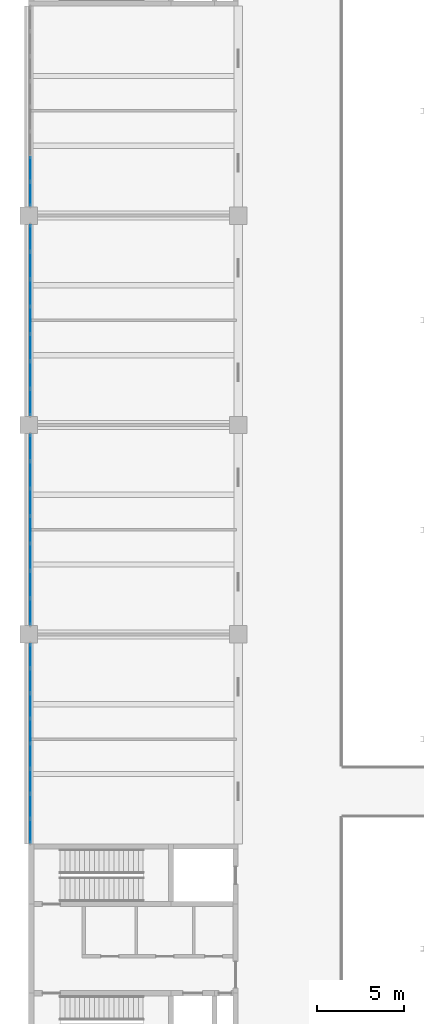
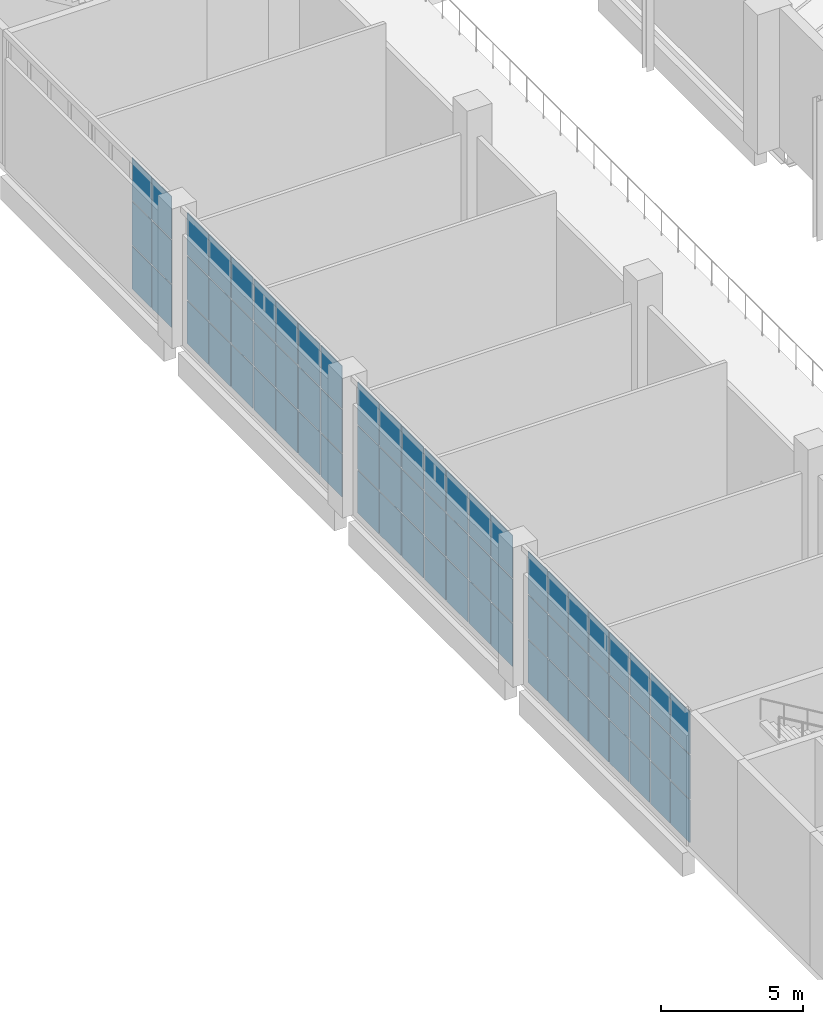
# One storey, part 42 of 72: 72 plates, 4 elements without a shape of their own.
"""IFC4 building model written with IfcOpenShell, lengths in metres."""

from ifc_helpers import new_model, si_unit, direction, frame, origin, origin_2d, place, context, subcontext, project, spatial, rectangle, extrude, material, layer, layer_set, type_object, element, aggregate, save


model = new_model("IFC4")

# Units and contexts
model_context = context("Model", 3, precision=1e-05, world=origin(), true_north=direction((0.0, 1.0)))
body_context = subcontext(model_context, "Body", "Model", "MODEL_VIEW")
ifc_project = project(units=[si_unit("LENGTHUNIT", "METRE"), si_unit("AREAUNIT", "SQUARE_METRE"), si_unit("VOLUMEUNIT", "CUBIC_METRE"), si_unit("PLANEANGLEUNIT", "RADIAN"), si_unit("MASSUNIT", "GRAM", prefix="KILO")], contexts=[model_context])

# Site, building, storey
site_placement = place(None, origin())
site = spatial("IfcSite", under=ifc_project, at=site_placement, CompositionType="ELEMENT")
building_placement = place(site_placement, origin())
building = spatial("IfcBuilding", under=site, at=building_placement, Name="Lilac Gate Convention Centre", CompositionType="ELEMENT")
storey_placement = place(building_placement, frame((0.0, 0.0, 6.0)))
storey = spatial("IfcBuildingStorey", under=building, at=storey_placement, Name="L01", CompositionType="ELEMENT", Elevation=6.0)

# Curtain wall, plates
ifc_material_1 = material(Name="Aluminium framed double glazing", Category="aluminium")
ifc_layer_1 = layer(ifc_material_1, 0.199951171875)
ifc_layer_set_1 = layer_set([ifc_layer_1], Name="Aluminium framed double glazing")
curtain_wall_type = type_object("IfcCurtainWallType", Name="Unitised curtain wall 1500", PredefinedType="NOTDEFINED", material=ifc_layer_set_1)
curtain_wall_1_placement = place(storey_placement, origin())
curtain_wall_1 = element("IfcCurtainWall", 1, at=curtain_wall_1_placement, inside=storey, type_object=curtain_wall_type, Name="Curtain wall PW L01 5", PredefinedType="NOTDEFINED")
ifc_material_2 = material(Name="Double glazed unit low emissivity")
ifc_layer_2 = layer(ifc_material_2, 0.028076171875)
ifc_layer_set_2 = layer_set([ifc_layer_2], Name="Double glazed unit low emissivity")
plate_type_1 = type_object("IfcPlateType", Name="Curtain wall glass panel 28", PredefinedType="CURTAIN_PANEL", material=ifc_layer_set_2)
plate_1_placement = place(storey_placement, frame((6.10009765625, 140.65625, 1.94677734375), z_axis=(0.0, 0.0, 1.0), x_axis=(0.0, -1.0, 0.0)))
plate_1 = element("IfcPlate", 2, at=plate_1_placement, type_object=plate_type_1, Name="CW panel 7.2", PredefinedType="CURTAIN_PANEL", context=body_context, shape_type="SweptSolid", body=[
    extrude(rectangle(XDim=1.37744140625, YDim=0.028076171875, at=origin_2d()), origin(), (0.0, 0.0, 1.0), 1.856689453125),
])
plate_2_placement = place(storey_placement, frame((6.10009765625, 140.65625, 3.86328125), z_axis=(0.0, 0.0, 1.0), x_axis=(0.0, -1.0, 0.0)))
plate_2 = element("IfcPlate", 3, at=plate_2_placement, type_object=plate_type_1, Name="CW panel 7.3", PredefinedType="CURTAIN_PANEL", context=body_context, shape_type="SweptSolid", body=[
    extrude(rectangle(XDim=1.37744140625, YDim=0.028076171875, at=origin_2d()), origin(), (0.0, 0.0, 1.0), 1.82666015625),
])
plate_3_placement = place(storey_placement, frame((6.10009765625, 139.233642578125, 1.94677734375), z_axis=(0.0, 0.0, 1.0), x_axis=(0.0, -1.0, 0.0)))
plate_3 = element("IfcPlate", 4, at=plate_3_placement, type_object=plate_type_1, Name="CW panel 8.2", PredefinedType="CURTAIN_PANEL", context=body_context, shape_type="SweptSolid", body=[
    extrude(rectangle(XDim=1.347412109375, YDim=0.028076171875, at=origin_2d()), origin(), (0.0, 0.0, 1.0), 1.856689453125),
])
plate_4_placement = place(storey_placement, frame((6.10009765625, 139.233642578125, 3.86328125), z_axis=(0.0, 0.0, 1.0), x_axis=(0.0, -1.0, 0.0)))
plate_4 = element("IfcPlate", 5, at=plate_4_placement, type_object=plate_type_1, Name="CW panel 8.3", PredefinedType="CURTAIN_PANEL", context=body_context, shape_type="SweptSolid", body=[
    extrude(rectangle(XDim=1.347412109375, YDim=0.028076171875, at=origin_2d()), origin(), (0.0, 0.0, 1.0), 1.82666015625),
])

curtain_wall_2_placement = place(storey_placement, origin())
curtain_wall_2 = element("IfcCurtainWall", 6, at=curtain_wall_2_placement, inside=storey, type_object=curtain_wall_type, Name="Curtain wall PW L01 6", PredefinedType="NOTDEFINED")
plate_5_placement = place(storey_placement, frame((6.10009765625, 136.69921875, 1.94677734375), z_axis=(0.0, 0.0, 1.0), x_axis=(0.0, -1.0, 0.0)))
plate_5 = element("IfcPlate", 7, at=plate_5_placement, type_object=plate_type_1, Name="CW panel 1.2", PredefinedType="CURTAIN_PANEL", context=body_context, shape_type="SweptSolid", body=[
    extrude(rectangle(XDim=1.4814453125, YDim=0.028076171875, at=origin_2d()), origin(), (0.0, 0.0, 1.0), 1.856689453125),
])
plate_6_placement = place(storey_placement, frame((6.10009765625, 136.69921875, 3.86328125), z_axis=(0.0, 0.0, 1.0), x_axis=(0.0, -1.0, 0.0)))
plate_6 = element("IfcPlate", 8, at=plate_6_placement, type_object=plate_type_1, Name="CW panel 1.3", PredefinedType="CURTAIN_PANEL", context=body_context, shape_type="SweptSolid", body=[
    extrude(rectangle(XDim=1.4814453125, YDim=0.028076171875, at=origin_2d()), origin(), (0.0, 0.0, 1.0), 1.82666015625),
])
plate_7_placement = place(storey_placement, frame((6.10009765625, 135.142822265625, 1.94677734375), z_axis=(0.0, 0.0, 1.0), x_axis=(0.0, -1.0, 0.0)))
plate_7 = element("IfcPlate", 9, at=plate_7_placement, type_object=plate_type_1, Name="CW panel 2.2", PredefinedType="CURTAIN_PANEL", context=body_context, shape_type="SweptSolid", body=[
    extrude(rectangle(XDim=1.511474609375, YDim=0.028076171875, at=origin_2d()), origin(), (0.0, 0.0, 1.0), 1.856689453125),
])
plate_8_placement = place(storey_placement, frame((6.10009765625, 135.142822265625, 3.86328125), z_axis=(0.0, 0.0, 1.0), x_axis=(0.0, -1.0, 0.0)))
plate_8 = element("IfcPlate", 10, at=plate_8_placement, type_object=plate_type_1, Name="CW panel 2.3", PredefinedType="CURTAIN_PANEL", context=body_context, shape_type="SweptSolid", body=[
    extrude(rectangle(XDim=1.511474609375, YDim=0.028076171875, at=origin_2d()), origin(), (0.0, 0.0, 1.0), 1.82666015625),
])
plate_9_placement = place(storey_placement, frame((6.10009765625, 133.571533203125, 1.94677734375), z_axis=(0.0, 0.0, 1.0), x_axis=(0.0, -1.0, 0.0)))
plate_9 = element("IfcPlate", 11, at=plate_9_placement, type_object=plate_type_1, Name="CW panel 3.2", PredefinedType="CURTAIN_PANEL", context=body_context, shape_type="SweptSolid", body=[
    extrude(rectangle(XDim=1.511474609375, YDim=0.028076171875, at=origin_2d()), origin(), (0.0, 0.0, 1.0), 1.856689453125),
])
plate_10_placement = place(storey_placement, frame((6.10009765625, 133.571533203125, 3.86328125), z_axis=(0.0, 0.0, 1.0), x_axis=(0.0, -1.0, 0.0)))
plate_10 = element("IfcPlate", 12, at=plate_10_placement, type_object=plate_type_1, Name="CW panel 3.3", PredefinedType="CURTAIN_PANEL", context=body_context, shape_type="SweptSolid", body=[
    extrude(rectangle(XDim=1.511474609375, YDim=0.028076171875, at=origin_2d()), origin(), (0.0, 0.0, 1.0), 1.82666015625),
])
plate_11_placement = place(storey_placement, frame((6.10009765625, 132.0, 1.94677734375), z_axis=(0.0, 0.0, 1.0), x_axis=(0.0, -1.0, 0.0)))
plate_11 = element("IfcPlate", 13, at=plate_11_placement, type_object=plate_type_1, Name="CW panel 4.2", PredefinedType="CURTAIN_PANEL", context=body_context, shape_type="SweptSolid", body=[
    extrude(rectangle(XDim=1.511474609375, YDim=0.028076171875, at=origin_2d()), origin(), (0.0, 0.0, 1.0), 1.856689453125),
])
plate_12_placement = place(storey_placement, frame((6.10009765625, 132.0, 3.86328125), z_axis=(0.0, 0.0, 1.0), x_axis=(0.0, -1.0, 0.0)))
plate_12 = element("IfcPlate", 14, at=plate_12_placement, type_object=plate_type_1, Name="CW panel 4.3", PredefinedType="CURTAIN_PANEL", context=body_context, shape_type="SweptSolid", body=[
    extrude(rectangle(XDim=1.511474609375, YDim=0.028076171875, at=origin_2d()), origin(), (0.0, 0.0, 1.0), 1.82666015625),
])
plate_13_placement = place(storey_placement, frame((6.10009765625, 130.428466796875, 1.94677734375), z_axis=(0.0, 0.0, 1.0), x_axis=(0.0, -1.0, 0.0)))
plate_13 = element("IfcPlate", 15, at=plate_13_placement, type_object=plate_type_1, Name="CW panel 5.2", PredefinedType="CURTAIN_PANEL", context=body_context, shape_type="SweptSolid", body=[
    extrude(rectangle(XDim=1.511474609375, YDim=0.028076171875, at=origin_2d()), origin(), (0.0, 0.0, 1.0), 1.856689453125),
])
plate_14_placement = place(storey_placement, frame((6.10009765625, 130.428466796875, 3.86328125), z_axis=(0.0, 0.0, 1.0), x_axis=(0.0, -1.0, 0.0)))
plate_14 = element("IfcPlate", 16, at=plate_14_placement, type_object=plate_type_1, Name="CW panel 5.3", PredefinedType="CURTAIN_PANEL", context=body_context, shape_type="SweptSolid", body=[
    extrude(rectangle(XDim=1.511474609375, YDim=0.028076171875, at=origin_2d()), origin(), (0.0, 0.0, 1.0), 1.82666015625),
])
plate_15_placement = place(storey_placement, frame((6.10009765625, 128.857177734375, 1.94677734375), z_axis=(0.0, 0.0, 1.0), x_axis=(0.0, -1.0, 0.0)))
plate_15 = element("IfcPlate", 17, at=plate_15_placement, type_object=plate_type_1, Name="CW panel 6.2", PredefinedType="CURTAIN_PANEL", context=body_context, shape_type="SweptSolid", body=[
    extrude(rectangle(XDim=1.511474609375, YDim=0.028076171875, at=origin_2d()), origin(), (0.0, 0.0, 1.0), 1.856689453125),
])
plate_16_placement = place(storey_placement, frame((6.10009765625, 128.857177734375, 3.86328125), z_axis=(0.0, 0.0, 1.0), x_axis=(0.0, -1.0, 0.0)))
plate_16 = element("IfcPlate", 18, at=plate_16_placement, type_object=plate_type_1, Name="CW panel 6.3", PredefinedType="CURTAIN_PANEL", context=body_context, shape_type="SweptSolid", body=[
    extrude(rectangle(XDim=1.511474609375, YDim=0.028076171875, at=origin_2d()), origin(), (0.0, 0.0, 1.0), 1.82666015625),
])
plate_17_placement = place(storey_placement, frame((6.10009765625, 127.30078125, 1.94677734375), z_axis=(0.0, 0.0, 1.0), x_axis=(0.0, -1.0, 0.0)))
plate_17 = element("IfcPlate", 19, at=plate_17_placement, type_object=plate_type_1, Name="CW panel 7.2", PredefinedType="CURTAIN_PANEL", context=body_context, shape_type="SweptSolid", body=[
    extrude(rectangle(XDim=1.4814453125, YDim=0.028076171875, at=origin_2d()), origin(), (0.0, 0.0, 1.0), 1.856689453125),
])
plate_18_placement = place(storey_placement, frame((6.10009765625, 127.30078125, 3.86328125), z_axis=(0.0, 0.0, 1.0), x_axis=(0.0, -1.0, 0.0)))
plate_18 = element("IfcPlate", 20, at=plate_18_placement, type_object=plate_type_1, Name="CW panel 7.3", PredefinedType="CURTAIN_PANEL", context=body_context, shape_type="SweptSolid", body=[
    extrude(rectangle(XDim=1.4814453125, YDim=0.028076171875, at=origin_2d()), origin(), (0.0, 0.0, 1.0), 1.82666015625),
])

curtain_wall_3_placement = place(storey_placement, origin())
curtain_wall_3 = element("IfcCurtainWall", 21, at=curtain_wall_3_placement, inside=storey, type_object=curtain_wall_type, Name="Curtain wall PW L01 7", PredefinedType="NOTDEFINED")
plate_19_placement = place(storey_placement, frame((6.10009765625, 124.69921875, 1.94677734375), z_axis=(0.0, 0.0, 1.0), x_axis=(0.0, -1.0, 0.0)))
plate_19 = element("IfcPlate", 22, at=plate_19_placement, type_object=plate_type_1, Name="CW panel 1.2", PredefinedType="CURTAIN_PANEL", context=body_context, shape_type="SweptSolid", body=[
    extrude(rectangle(XDim=1.4814453125, YDim=0.028076171875, at=origin_2d()), origin(), (0.0, 0.0, 1.0), 1.856689453125),
])
plate_20_placement = place(storey_placement, frame((6.10009765625, 124.69921875, 3.86328125), z_axis=(0.0, 0.0, 1.0), x_axis=(0.0, -1.0, 0.0)))
plate_20 = element("IfcPlate", 23, at=plate_20_placement, type_object=plate_type_1, Name="CW panel 1.3", PredefinedType="CURTAIN_PANEL", context=body_context, shape_type="SweptSolid", body=[
    extrude(rectangle(XDim=1.4814453125, YDim=0.028076171875, at=origin_2d()), origin(), (0.0, 0.0, 1.0), 1.82666015625),
])
plate_21_placement = place(storey_placement, frame((6.10009765625, 123.142822265625, 1.94677734375), z_axis=(0.0, 0.0, 1.0), x_axis=(0.0, -1.0, 0.0)))
plate_21 = element("IfcPlate", 24, at=plate_21_placement, type_object=plate_type_1, Name="CW panel 2.2", PredefinedType="CURTAIN_PANEL", context=body_context, shape_type="SweptSolid", body=[
    extrude(rectangle(XDim=1.511474609375, YDim=0.028076171875, at=origin_2d()), origin(), (0.0, 0.0, 1.0), 1.856689453125),
])
plate_22_placement = place(storey_placement, frame((6.10009765625, 123.142822265625, 3.86328125), z_axis=(0.0, 0.0, 1.0), x_axis=(0.0, -1.0, 0.0)))
plate_22 = element("IfcPlate", 25, at=plate_22_placement, type_object=plate_type_1, Name="CW panel 2.3", PredefinedType="CURTAIN_PANEL", context=body_context, shape_type="SweptSolid", body=[
    extrude(rectangle(XDim=1.511474609375, YDim=0.028076171875, at=origin_2d()), origin(), (0.0, 0.0, 1.0), 1.82666015625),
])
plate_23_placement = place(storey_placement, frame((6.10009765625, 121.571533203125, 1.94677734375), z_axis=(0.0, 0.0, 1.0), x_axis=(0.0, -1.0, 0.0)))
plate_23 = element("IfcPlate", 26, at=plate_23_placement, type_object=plate_type_1, Name="CW panel 3.2", PredefinedType="CURTAIN_PANEL", context=body_context, shape_type="SweptSolid", body=[
    extrude(rectangle(XDim=1.511474609375, YDim=0.028076171875, at=origin_2d()), origin(), (0.0, 0.0, 1.0), 1.856689453125),
])
plate_24_placement = place(storey_placement, frame((6.10009765625, 121.571533203125, 3.86328125), z_axis=(0.0, 0.0, 1.0), x_axis=(0.0, -1.0, 0.0)))
plate_24 = element("IfcPlate", 27, at=plate_24_placement, type_object=plate_type_1, Name="CW panel 3.3", PredefinedType="CURTAIN_PANEL", context=body_context, shape_type="SweptSolid", body=[
    extrude(rectangle(XDim=1.511474609375, YDim=0.028076171875, at=origin_2d()), origin(), (0.0, 0.0, 1.0), 1.82666015625),
])
plate_25_placement = place(storey_placement, frame((6.10009765625, 120.0, 1.94677734375), z_axis=(0.0, 0.0, 1.0), x_axis=(0.0, -1.0, 0.0)))
plate_25 = element("IfcPlate", 28, at=plate_25_placement, type_object=plate_type_1, Name="CW panel 4.2", PredefinedType="CURTAIN_PANEL", context=body_context, shape_type="SweptSolid", body=[
    extrude(rectangle(XDim=1.511474609375, YDim=0.028076171875, at=origin_2d()), origin(), (0.0, 0.0, 1.0), 1.856689453125),
])
plate_26_placement = place(storey_placement, frame((6.10009765625, 120.0, 3.86328125), z_axis=(0.0, 0.0, 1.0), x_axis=(0.0, -1.0, 0.0)))
plate_26 = element("IfcPlate", 29, at=plate_26_placement, type_object=plate_type_1, Name="CW panel 4.3", PredefinedType="CURTAIN_PANEL", context=body_context, shape_type="SweptSolid", body=[
    extrude(rectangle(XDim=1.511474609375, YDim=0.028076171875, at=origin_2d()), origin(), (0.0, 0.0, 1.0), 1.82666015625),
])
plate_27_placement = place(storey_placement, frame((6.10009765625, 118.428466796875, 1.94677734375), z_axis=(0.0, 0.0, 1.0), x_axis=(0.0, -1.0, 0.0)))
plate_27 = element("IfcPlate", 30, at=plate_27_placement, type_object=plate_type_1, Name="CW panel 5.2", PredefinedType="CURTAIN_PANEL", context=body_context, shape_type="SweptSolid", body=[
    extrude(rectangle(XDim=1.511474609375, YDim=0.028076171875, at=origin_2d()), origin(), (0.0, 0.0, 1.0), 1.856689453125),
])
plate_28_placement = place(storey_placement, frame((6.10009765625, 118.428466796875, 3.86328125), z_axis=(0.0, 0.0, 1.0), x_axis=(0.0, -1.0, 0.0)))
plate_28 = element("IfcPlate", 31, at=plate_28_placement, type_object=plate_type_1, Name="CW panel 5.3", PredefinedType="CURTAIN_PANEL", context=body_context, shape_type="SweptSolid", body=[
    extrude(rectangle(XDim=1.511474609375, YDim=0.028076171875, at=origin_2d()), origin(), (0.0, 0.0, 1.0), 1.82666015625),
])
plate_29_placement = place(storey_placement, frame((6.10009765625, 116.857177734375, 1.94677734375), z_axis=(0.0, 0.0, 1.0), x_axis=(0.0, -1.0, 0.0)))
plate_29 = element("IfcPlate", 32, at=plate_29_placement, type_object=plate_type_1, Name="CW panel 6.2", PredefinedType="CURTAIN_PANEL", context=body_context, shape_type="SweptSolid", body=[
    extrude(rectangle(XDim=1.511474609375, YDim=0.028076171875, at=origin_2d()), origin(), (0.0, 0.0, 1.0), 1.856689453125),
])
plate_30_placement = place(storey_placement, frame((6.10009765625, 116.857177734375, 3.86328125), z_axis=(0.0, 0.0, 1.0), x_axis=(0.0, -1.0, 0.0)))
plate_30 = element("IfcPlate", 33, at=plate_30_placement, type_object=plate_type_1, Name="CW panel 6.3", PredefinedType="CURTAIN_PANEL", context=body_context, shape_type="SweptSolid", body=[
    extrude(rectangle(XDim=1.511474609375, YDim=0.028076171875, at=origin_2d()), origin(), (0.0, 0.0, 1.0), 1.82666015625),
])
plate_31_placement = place(storey_placement, frame((6.10009765625, 115.30078125, 1.94677734375), z_axis=(0.0, 0.0, 1.0), x_axis=(0.0, -1.0, 0.0)))
plate_31 = element("IfcPlate", 34, at=plate_31_placement, type_object=plate_type_1, Name="CW panel 7.2", PredefinedType="CURTAIN_PANEL", context=body_context, shape_type="SweptSolid", body=[
    extrude(rectangle(XDim=1.4814453125, YDim=0.028076171875, at=origin_2d()), origin(), (0.0, 0.0, 1.0), 1.856689453125),
])
plate_32_placement = place(storey_placement, frame((6.10009765625, 115.30078125, 3.86328125), z_axis=(0.0, 0.0, 1.0), x_axis=(0.0, -1.0, 0.0)))
plate_32 = element("IfcPlate", 35, at=plate_32_placement, type_object=plate_type_1, Name="CW panel 7.3", PredefinedType="CURTAIN_PANEL", context=body_context, shape_type="SweptSolid", body=[
    extrude(rectangle(XDim=1.4814453125, YDim=0.028076171875, at=origin_2d()), origin(), (0.0, 0.0, 1.0), 1.82666015625),
])

curtain_wall_4_placement = place(storey_placement, origin())
curtain_wall_4 = element("IfcCurtainWall", 36, at=curtain_wall_4_placement, inside=storey, type_object=curtain_wall_type, Name="Curtain wall PW L01 8", PredefinedType="NOTDEFINED")
plate_33_placement = place(storey_placement, frame((6.10009765625, 112.766357421875, 1.94677734375), z_axis=(0.0, 0.0, 1.0), x_axis=(0.0, -1.0, 0.0)))
plate_33 = element("IfcPlate", 37, at=plate_33_placement, type_object=plate_type_1, Name="CW panel 1.2", PredefinedType="CURTAIN_PANEL", context=body_context, shape_type="SweptSolid", body=[
    extrude(rectangle(XDim=1.347412109375, YDim=0.028076171875, at=origin_2d()), origin(), (0.0, 0.0, 1.0), 1.856689453125),
])
plate_34_placement = place(storey_placement, frame((6.10009765625, 112.766357421875, 3.86328125), z_axis=(0.0, 0.0, 1.0), x_axis=(0.0, -1.0, 0.0)))
plate_34 = element("IfcPlate", 38, at=plate_34_placement, type_object=plate_type_1, Name="CW panel 1.3", PredefinedType="CURTAIN_PANEL", context=body_context, shape_type="SweptSolid", body=[
    extrude(rectangle(XDim=1.347412109375, YDim=0.028076171875, at=origin_2d()), origin(), (0.0, 0.0, 1.0), 1.82666015625),
])
plate_35_placement = place(storey_placement, frame((6.10009765625, 111.34375, 1.94677734375), z_axis=(0.0, 0.0, 1.0), x_axis=(0.0, -1.0, 0.0)))
plate_35 = element("IfcPlate", 39, at=plate_35_placement, type_object=plate_type_1, Name="CW panel 2.2", PredefinedType="CURTAIN_PANEL", context=body_context, shape_type="SweptSolid", body=[
    extrude(rectangle(XDim=1.37744140625, YDim=0.028076171875, at=origin_2d()), origin(), (0.0, 0.0, 1.0), 1.856689453125),
])
plate_36_placement = place(storey_placement, frame((6.10009765625, 111.34375, 3.86328125), z_axis=(0.0, 0.0, 1.0), x_axis=(0.0, -1.0, 0.0)))
plate_36 = element("IfcPlate", 40, at=plate_36_placement, type_object=plate_type_1, Name="CW panel 2.3", PredefinedType="CURTAIN_PANEL", context=body_context, shape_type="SweptSolid", body=[
    extrude(rectangle(XDim=1.37744140625, YDim=0.028076171875, at=origin_2d()), origin(), (0.0, 0.0, 1.0), 1.82666015625),
])
plate_37_placement = place(storey_placement, frame((6.10009765625, 109.90625, 1.94677734375), z_axis=(0.0, 0.0, 1.0), x_axis=(0.0, -1.0, 0.0)))
plate_37 = element("IfcPlate", 41, at=plate_37_placement, type_object=plate_type_1, Name="CW panel 3.2", PredefinedType="CURTAIN_PANEL", context=body_context, shape_type="SweptSolid", body=[
    extrude(rectangle(XDim=1.37744140625, YDim=0.028076171875, at=origin_2d()), origin(), (0.0, 0.0, 1.0), 1.856689453125),
])
plate_38_placement = place(storey_placement, frame((6.10009765625, 109.90625, 3.86328125), z_axis=(0.0, 0.0, 1.0), x_axis=(0.0, -1.0, 0.0)))
plate_38 = element("IfcPlate", 42, at=plate_38_placement, type_object=plate_type_1, Name="CW panel 3.3", PredefinedType="CURTAIN_PANEL", context=body_context, shape_type="SweptSolid", body=[
    extrude(rectangle(XDim=1.37744140625, YDim=0.028076171875, at=origin_2d()), origin(), (0.0, 0.0, 1.0), 1.82666015625),
])
plate_39_placement = place(storey_placement, frame((6.10009765625, 108.46875, 1.94677734375), z_axis=(0.0, 0.0, 1.0), x_axis=(0.0, -1.0, 0.0)))
plate_39 = element("IfcPlate", 43, at=plate_39_placement, type_object=plate_type_1, Name="CW panel 4.2", PredefinedType="CURTAIN_PANEL", context=body_context, shape_type="SweptSolid", body=[
    extrude(rectangle(XDim=1.37744140625, YDim=0.028076171875, at=origin_2d()), origin(), (0.0, 0.0, 1.0), 1.856689453125),
])
plate_40_placement = place(storey_placement, frame((6.10009765625, 108.46875, 3.86328125), z_axis=(0.0, 0.0, 1.0), x_axis=(0.0, -1.0, 0.0)))
plate_40 = element("IfcPlate", 44, at=plate_40_placement, type_object=plate_type_1, Name="CW panel 4.3", PredefinedType="CURTAIN_PANEL", context=body_context, shape_type="SweptSolid", body=[
    extrude(rectangle(XDim=1.37744140625, YDim=0.028076171875, at=origin_2d()), origin(), (0.0, 0.0, 1.0), 1.82666015625),
])
plate_41_placement = place(storey_placement, frame((6.10009765625, 107.03125, 1.94677734375), z_axis=(0.0, 0.0, 1.0), x_axis=(0.0, -1.0, 0.0)))
plate_41 = element("IfcPlate", 45, at=plate_41_placement, type_object=plate_type_1, Name="CW panel 5.2", PredefinedType="CURTAIN_PANEL", context=body_context, shape_type="SweptSolid", body=[
    extrude(rectangle(XDim=1.37744140625, YDim=0.028076171875, at=origin_2d()), origin(), (0.0, 0.0, 1.0), 1.856689453125),
])
plate_42_placement = place(storey_placement, frame((6.10009765625, 107.03125, 3.86328125), z_axis=(0.0, 0.0, 1.0), x_axis=(0.0, -1.0, 0.0)))
plate_42 = element("IfcPlate", 46, at=plate_42_placement, type_object=plate_type_1, Name="CW panel 5.3", PredefinedType="CURTAIN_PANEL", context=body_context, shape_type="SweptSolid", body=[
    extrude(rectangle(XDim=1.37744140625, YDim=0.028076171875, at=origin_2d()), origin(), (0.0, 0.0, 1.0), 1.82666015625),
])
plate_43_placement = place(storey_placement, frame((6.10009765625, 105.59375, 1.94677734375), z_axis=(0.0, 0.0, 1.0), x_axis=(0.0, -1.0, 0.0)))
plate_43 = element("IfcPlate", 47, at=plate_43_placement, type_object=plate_type_1, Name="CW panel 6.2", PredefinedType="CURTAIN_PANEL", context=body_context, shape_type="SweptSolid", body=[
    extrude(rectangle(XDim=1.37744140625, YDim=0.028076171875, at=origin_2d()), origin(), (0.0, 0.0, 1.0), 1.856689453125),
])
plate_44_placement = place(storey_placement, frame((6.10009765625, 105.59375, 3.86328125), z_axis=(0.0, 0.0, 1.0), x_axis=(0.0, -1.0, 0.0)))
plate_44 = element("IfcPlate", 48, at=plate_44_placement, type_object=plate_type_1, Name="CW panel 6.3", PredefinedType="CURTAIN_PANEL", context=body_context, shape_type="SweptSolid", body=[
    extrude(rectangle(XDim=1.37744140625, YDim=0.028076171875, at=origin_2d()), origin(), (0.0, 0.0, 1.0), 1.82666015625),
])
plate_45_placement = place(storey_placement, frame((6.10009765625, 104.15625, 1.94677734375), z_axis=(0.0, 0.0, 1.0), x_axis=(0.0, -1.0, 0.0)))
plate_45 = element("IfcPlate", 49, at=plate_45_placement, type_object=plate_type_1, Name="CW panel 7.2", PredefinedType="CURTAIN_PANEL", context=body_context, shape_type="SweptSolid", body=[
    extrude(rectangle(XDim=1.37744140625, YDim=0.028076171875, at=origin_2d()), origin(), (0.0, 0.0, 1.0), 1.856689453125),
])
plate_46_placement = place(storey_placement, frame((6.10009765625, 104.15625, 3.86328125), z_axis=(0.0, 0.0, 1.0), x_axis=(0.0, -1.0, 0.0)))
plate_46 = element("IfcPlate", 50, at=plate_46_placement, type_object=plate_type_1, Name="CW panel 7.3", PredefinedType="CURTAIN_PANEL", context=body_context, shape_type="SweptSolid", body=[
    extrude(rectangle(XDim=1.37744140625, YDim=0.028076171875, at=origin_2d()), origin(), (0.0, 0.0, 1.0), 1.82666015625),
])
plate_47_placement = place(storey_placement, frame((6.10009765625, 102.733642578125, 1.94677734375), z_axis=(0.0, 0.0, 1.0), x_axis=(0.0, -1.0, 0.0)))
plate_47 = element("IfcPlate", 51, at=plate_47_placement, type_object=plate_type_1, Name="CW panel 8.2", PredefinedType="CURTAIN_PANEL", context=body_context, shape_type="SweptSolid", body=[
    extrude(rectangle(XDim=1.347412109375, YDim=0.028076171875, at=origin_2d()), origin(), (0.0, 0.0, 1.0), 1.856689453125),
])
plate_48_placement = place(storey_placement, frame((6.10009765625, 102.733642578125, 3.86328125), z_axis=(0.0, 0.0, 1.0), x_axis=(0.0, -1.0, 0.0)))
plate_48 = element("IfcPlate", 52, at=plate_48_placement, type_object=plate_type_1, Name="CW panel 8.3", PredefinedType="CURTAIN_PANEL", context=body_context, shape_type="SweptSolid", body=[
    extrude(rectangle(XDim=1.347412109375, YDim=0.028076171875, at=origin_2d()), origin(), (0.0, 0.0, 1.0), 1.82666015625),
])

# Plate
ifc_material_3 = material(Name="Insulated aluminium spandrel panel", Category="aluminium")
ifc_layer_3 = layer(ifc_material_3, 0.028076171875)
ifc_layer_set_3 = layer_set([ifc_layer_3], Name="Insulated aluminium spandrel panel")
plate_type_2 = type_object("IfcPlateType", Name="Curtain wall spandrel panel 28", PredefinedType="CURTAIN_PANEL", material=ifc_layer_set_3)
plate_49_placement = place(storey_placement, frame((6.10009765625, 140.65625, 0.06005859375), z_axis=(0.0, 0.0, 1.0), x_axis=(0.0, -1.0, 0.0)))
plate_49 = element("IfcPlate", 53, at=plate_49_placement, type_object=plate_type_2, Name="CW spandrel 7.1", PredefinedType="CURTAIN_PANEL", context=body_context, shape_type="SweptSolid", body=[
    extrude(rectangle(XDim=1.37744140625, YDim=0.028076171875, at=origin_2d()), origin(), (0.0, 0.0, 1.0), 1.82666015625),
])

plate_50_placement = place(storey_placement, frame((6.10009765625, 139.233642578125, 0.06005859375), z_axis=(0.0, 0.0, 1.0), x_axis=(0.0, -1.0, 0.0)))
plate_50 = element("IfcPlate", 54, at=plate_50_placement, type_object=plate_type_2, Name="CW spandrel 8.1", PredefinedType="CURTAIN_PANEL", context=body_context, shape_type="SweptSolid", body=[
    extrude(rectangle(XDim=1.347412109375, YDim=0.028076171875, at=origin_2d()), origin(), (0.0, 0.0, 1.0), 1.82666015625),
])

aggregate(curtain_wall_1, [plate_49, plate_1, plate_2, plate_50, plate_3, plate_4])

plate_51_placement = place(storey_placement, frame((6.10009765625, 136.69921875, 0.06005859375), z_axis=(0.0, 0.0, 1.0), x_axis=(0.0, -1.0, 0.0)))
plate_51 = element("IfcPlate", 55, at=plate_51_placement, type_object=plate_type_2, Name="CW spandrel 1.1", PredefinedType="CURTAIN_PANEL", context=body_context, shape_type="SweptSolid", body=[
    extrude(rectangle(XDim=1.4814453125, YDim=0.028076171875, at=origin_2d()), origin(), (0.0, 0.0, 1.0), 1.82666015625),
])

plate_52_placement = place(storey_placement, frame((6.10009765625, 135.142822265625, 0.06005859375), z_axis=(0.0, 0.0, 1.0), x_axis=(0.0, -1.0, 0.0)))
plate_52 = element("IfcPlate", 56, at=plate_52_placement, type_object=plate_type_2, Name="CW spandrel 2.1", PredefinedType="CURTAIN_PANEL", context=body_context, shape_type="SweptSolid", body=[
    extrude(rectangle(XDim=1.511474609375, YDim=0.028076171875, at=origin_2d()), origin(), (0.0, 0.0, 1.0), 1.82666015625),
])

plate_53_placement = place(storey_placement, frame((6.10009765625, 133.571533203125, 0.06005859375), z_axis=(0.0, 0.0, 1.0), x_axis=(0.0, -1.0, 0.0)))
plate_53 = element("IfcPlate", 57, at=plate_53_placement, type_object=plate_type_2, Name="CW spandrel 3.1", PredefinedType="CURTAIN_PANEL", context=body_context, shape_type="SweptSolid", body=[
    extrude(rectangle(XDim=1.511474609375, YDim=0.028076171875, at=origin_2d()), origin(), (0.0, 0.0, 1.0), 1.82666015625),
])

plate_54_placement = place(storey_placement, frame((6.10009765625, 132.0, 0.06005859375), z_axis=(0.0, 0.0, 1.0), x_axis=(0.0, -1.0, 0.0)))
plate_54 = element("IfcPlate", 58, at=plate_54_placement, type_object=plate_type_2, Name="CW spandrel 4.1", PredefinedType="CURTAIN_PANEL", context=body_context, shape_type="SweptSolid", body=[
    extrude(rectangle(XDim=1.511474609375, YDim=0.028076171875, at=origin_2d()), origin(), (0.0, 0.0, 1.0), 1.82666015625),
])

plate_55_placement = place(storey_placement, frame((6.10009765625, 130.428466796875, 0.06005859375), z_axis=(0.0, 0.0, 1.0), x_axis=(0.0, -1.0, 0.0)))
plate_55 = element("IfcPlate", 59, at=plate_55_placement, type_object=plate_type_2, Name="CW spandrel 5.1", PredefinedType="CURTAIN_PANEL", context=body_context, shape_type="SweptSolid", body=[
    extrude(rectangle(XDim=1.511474609375, YDim=0.028076171875, at=origin_2d()), origin(), (0.0, 0.0, 1.0), 1.82666015625),
])

plate_56_placement = place(storey_placement, frame((6.10009765625, 128.857177734375, 0.06005859375), z_axis=(0.0, 0.0, 1.0), x_axis=(0.0, -1.0, 0.0)))
plate_56 = element("IfcPlate", 60, at=plate_56_placement, type_object=plate_type_2, Name="CW spandrel 6.1", PredefinedType="CURTAIN_PANEL", context=body_context, shape_type="SweptSolid", body=[
    extrude(rectangle(XDim=1.511474609375, YDim=0.028076171875, at=origin_2d()), origin(), (0.0, 0.0, 1.0), 1.82666015625),
])

plate_57_placement = place(storey_placement, frame((6.10009765625, 127.30078125, 0.06005859375), z_axis=(0.0, 0.0, 1.0), x_axis=(0.0, -1.0, 0.0)))
plate_57 = element("IfcPlate", 61, at=plate_57_placement, type_object=plate_type_2, Name="CW spandrel 7.1", PredefinedType="CURTAIN_PANEL", context=body_context, shape_type="SweptSolid", body=[
    extrude(rectangle(XDim=1.4814453125, YDim=0.028076171875, at=origin_2d()), origin(), (0.0, 0.0, 1.0), 1.82666015625),
])

aggregate(curtain_wall_2, [plate_51, plate_5, plate_6, plate_52, plate_7, plate_8, plate_53, plate_9, plate_10, plate_54, plate_11, plate_12, plate_55, plate_13, plate_14, plate_56, plate_15, plate_16, plate_57, plate_17, plate_18])

plate_58_placement = place(storey_placement, frame((6.10009765625, 124.69921875, 0.06005859375), z_axis=(0.0, 0.0, 1.0), x_axis=(0.0, -1.0, 0.0)))
plate_58 = element("IfcPlate", 62, at=plate_58_placement, type_object=plate_type_2, Name="CW spandrel 1.1", PredefinedType="CURTAIN_PANEL", context=body_context, shape_type="SweptSolid", body=[
    extrude(rectangle(XDim=1.4814453125, YDim=0.028076171875, at=origin_2d()), origin(), (0.0, 0.0, 1.0), 1.82666015625),
])

plate_59_placement = place(storey_placement, frame((6.10009765625, 123.142822265625, 0.06005859375), z_axis=(0.0, 0.0, 1.0), x_axis=(0.0, -1.0, 0.0)))
plate_59 = element("IfcPlate", 63, at=plate_59_placement, type_object=plate_type_2, Name="CW spandrel 2.1", PredefinedType="CURTAIN_PANEL", context=body_context, shape_type="SweptSolid", body=[
    extrude(rectangle(XDim=1.511474609375, YDim=0.028076171875, at=origin_2d()), origin(), (0.0, 0.0, 1.0), 1.82666015625),
])

plate_60_placement = place(storey_placement, frame((6.10009765625, 121.571533203125, 0.06005859375), z_axis=(0.0, 0.0, 1.0), x_axis=(0.0, -1.0, 0.0)))
plate_60 = element("IfcPlate", 64, at=plate_60_placement, type_object=plate_type_2, Name="CW spandrel 3.1", PredefinedType="CURTAIN_PANEL", context=body_context, shape_type="SweptSolid", body=[
    extrude(rectangle(XDim=1.511474609375, YDim=0.028076171875, at=origin_2d()), origin(), (0.0, 0.0, 1.0), 1.82666015625),
])

plate_61_placement = place(storey_placement, frame((6.10009765625, 120.0, 0.06005859375), z_axis=(0.0, 0.0, 1.0), x_axis=(0.0, -1.0, 0.0)))
plate_61 = element("IfcPlate", 65, at=plate_61_placement, type_object=plate_type_2, Name="CW spandrel 4.1", PredefinedType="CURTAIN_PANEL", context=body_context, shape_type="SweptSolid", body=[
    extrude(rectangle(XDim=1.511474609375, YDim=0.028076171875, at=origin_2d()), origin(), (0.0, 0.0, 1.0), 1.82666015625),
])

plate_62_placement = place(storey_placement, frame((6.10009765625, 118.428466796875, 0.06005859375), z_axis=(0.0, 0.0, 1.0), x_axis=(0.0, -1.0, 0.0)))
plate_62 = element("IfcPlate", 66, at=plate_62_placement, type_object=plate_type_2, Name="CW spandrel 5.1", PredefinedType="CURTAIN_PANEL", context=body_context, shape_type="SweptSolid", body=[
    extrude(rectangle(XDim=1.511474609375, YDim=0.028076171875, at=origin_2d()), origin(), (0.0, 0.0, 1.0), 1.82666015625),
])

plate_63_placement = place(storey_placement, frame((6.10009765625, 116.857177734375, 0.06005859375), z_axis=(0.0, 0.0, 1.0), x_axis=(0.0, -1.0, 0.0)))
plate_63 = element("IfcPlate", 67, at=plate_63_placement, type_object=plate_type_2, Name="CW spandrel 6.1", PredefinedType="CURTAIN_PANEL", context=body_context, shape_type="SweptSolid", body=[
    extrude(rectangle(XDim=1.511474609375, YDim=0.028076171875, at=origin_2d()), origin(), (0.0, 0.0, 1.0), 1.82666015625),
])

plate_64_placement = place(storey_placement, frame((6.10009765625, 115.30078125, 0.06005859375), z_axis=(0.0, 0.0, 1.0), x_axis=(0.0, -1.0, 0.0)))
plate_64 = element("IfcPlate", 68, at=plate_64_placement, type_object=plate_type_2, Name="CW spandrel 7.1", PredefinedType="CURTAIN_PANEL", context=body_context, shape_type="SweptSolid", body=[
    extrude(rectangle(XDim=1.4814453125, YDim=0.028076171875, at=origin_2d()), origin(), (0.0, 0.0, 1.0), 1.82666015625),
])

aggregate(curtain_wall_3, [plate_58, plate_19, plate_20, plate_59, plate_21, plate_22, plate_60, plate_23, plate_24, plate_61, plate_25, plate_26, plate_62, plate_27, plate_28, plate_63, plate_29, plate_30, plate_64, plate_31, plate_32])

plate_65_placement = place(storey_placement, frame((6.10009765625, 112.766357421875, 0.06005859375), z_axis=(0.0, 0.0, 1.0), x_axis=(0.0, -1.0, 0.0)))
plate_65 = element("IfcPlate", 69, at=plate_65_placement, type_object=plate_type_2, Name="CW spandrel 1.1", PredefinedType="CURTAIN_PANEL", context=body_context, shape_type="SweptSolid", body=[
    extrude(rectangle(XDim=1.347412109375, YDim=0.028076171875, at=origin_2d()), origin(), (0.0, 0.0, 1.0), 1.82666015625),
])

plate_66_placement = place(storey_placement, frame((6.10009765625, 111.34375, 0.06005859375), z_axis=(0.0, 0.0, 1.0), x_axis=(0.0, -1.0, 0.0)))
plate_66 = element("IfcPlate", 70, at=plate_66_placement, type_object=plate_type_2, Name="CW spandrel 2.1", PredefinedType="CURTAIN_PANEL", context=body_context, shape_type="SweptSolid", body=[
    extrude(rectangle(XDim=1.37744140625, YDim=0.028076171875, at=origin_2d()), origin(), (0.0, 0.0, 1.0), 1.82666015625),
])

plate_67_placement = place(storey_placement, frame((6.10009765625, 109.90625, 0.06005859375), z_axis=(0.0, 0.0, 1.0), x_axis=(0.0, -1.0, 0.0)))
plate_67 = element("IfcPlate", 71, at=plate_67_placement, type_object=plate_type_2, Name="CW spandrel 3.1", PredefinedType="CURTAIN_PANEL", context=body_context, shape_type="SweptSolid", body=[
    extrude(rectangle(XDim=1.37744140625, YDim=0.028076171875, at=origin_2d()), origin(), (0.0, 0.0, 1.0), 1.82666015625),
])

plate_68_placement = place(storey_placement, frame((6.10009765625, 108.46875, 0.06005859375), z_axis=(0.0, 0.0, 1.0), x_axis=(0.0, -1.0, 0.0)))
plate_68 = element("IfcPlate", 72, at=plate_68_placement, type_object=plate_type_2, Name="CW spandrel 4.1", PredefinedType="CURTAIN_PANEL", context=body_context, shape_type="SweptSolid", body=[
    extrude(rectangle(XDim=1.37744140625, YDim=0.028076171875, at=origin_2d()), origin(), (0.0, 0.0, 1.0), 1.82666015625),
])

plate_69_placement = place(storey_placement, frame((6.10009765625, 107.03125, 0.06005859375), z_axis=(0.0, 0.0, 1.0), x_axis=(0.0, -1.0, 0.0)))
plate_69 = element("IfcPlate", 73, at=plate_69_placement, type_object=plate_type_2, Name="CW spandrel 5.1", PredefinedType="CURTAIN_PANEL", context=body_context, shape_type="SweptSolid", body=[
    extrude(rectangle(XDim=1.37744140625, YDim=0.028076171875, at=origin_2d()), origin(), (0.0, 0.0, 1.0), 1.82666015625),
])

plate_70_placement = place(storey_placement, frame((6.10009765625, 105.59375, 0.06005859375), z_axis=(0.0, 0.0, 1.0), x_axis=(0.0, -1.0, 0.0)))
plate_70 = element("IfcPlate", 74, at=plate_70_placement, type_object=plate_type_2, Name="CW spandrel 6.1", PredefinedType="CURTAIN_PANEL", context=body_context, shape_type="SweptSolid", body=[
    extrude(rectangle(XDim=1.37744140625, YDim=0.028076171875, at=origin_2d()), origin(), (0.0, 0.0, 1.0), 1.82666015625),
])

plate_71_placement = place(storey_placement, frame((6.10009765625, 104.15625, 0.06005859375), z_axis=(0.0, 0.0, 1.0), x_axis=(0.0, -1.0, 0.0)))
plate_71 = element("IfcPlate", 75, at=plate_71_placement, type_object=plate_type_2, Name="CW spandrel 7.1", PredefinedType="CURTAIN_PANEL", context=body_context, shape_type="SweptSolid", body=[
    extrude(rectangle(XDim=1.37744140625, YDim=0.028076171875, at=origin_2d()), origin(), (0.0, 0.0, 1.0), 1.82666015625),
])

plate_72_placement = place(storey_placement, frame((6.10009765625, 102.733642578125, 0.06005859375), z_axis=(0.0, 0.0, 1.0), x_axis=(0.0, -1.0, 0.0)))
plate_72 = element("IfcPlate", 76, at=plate_72_placement, type_object=plate_type_2, Name="CW spandrel 8.1", PredefinedType="CURTAIN_PANEL", context=body_context, shape_type="SweptSolid", body=[
    extrude(rectangle(XDim=1.347412109375, YDim=0.028076171875, at=origin_2d()), origin(), (0.0, 0.0, 1.0), 1.82666015625),
])

aggregate(curtain_wall_4, [plate_65, plate_33, plate_34, plate_66, plate_35, plate_36, plate_67, plate_37, plate_38, plate_68, plate_39, plate_40, plate_69, plate_41, plate_42, plate_70, plate_43, plate_44, plate_71, plate_45, plate_46, plate_72, plate_47, plate_48])

save(model, "model.ifc")
